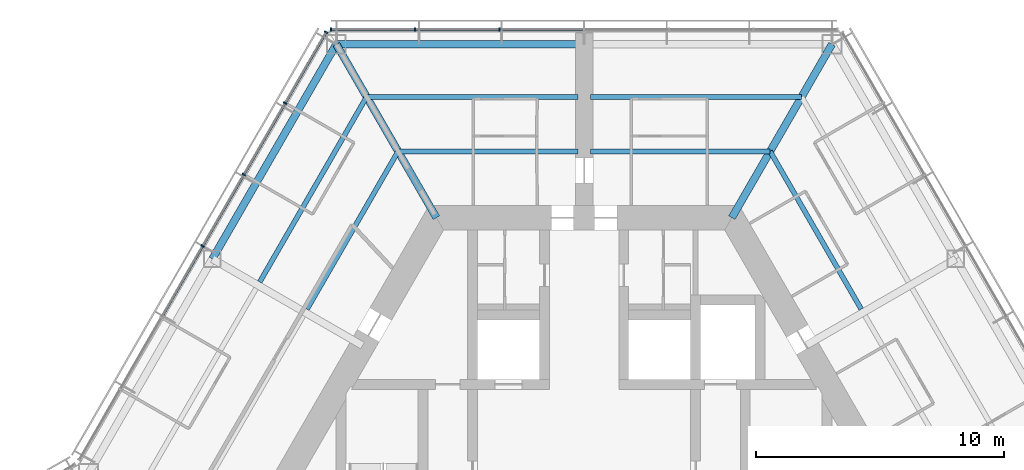
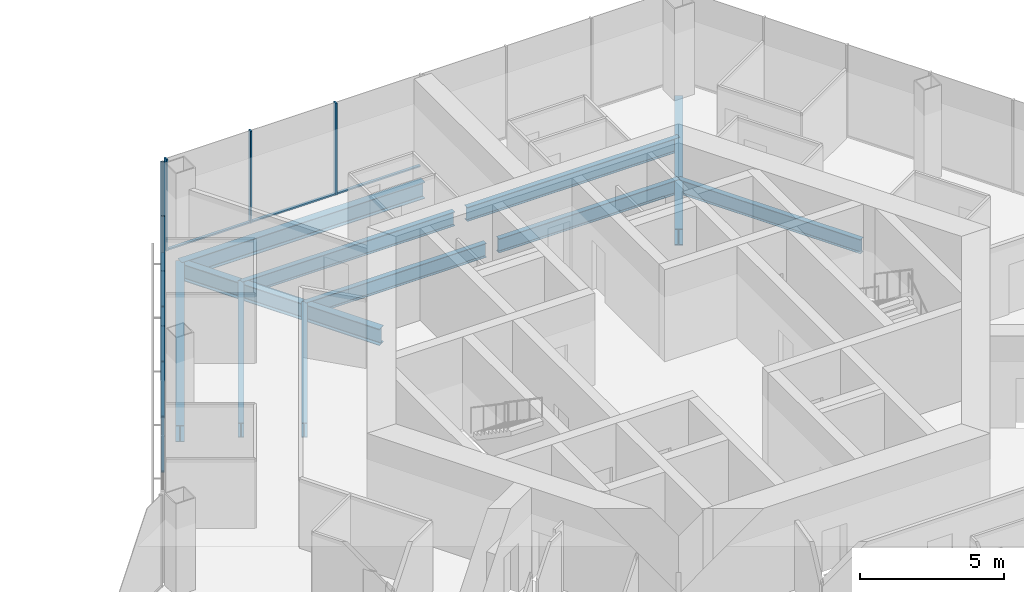
# One storey, part 7 of 19: 14 members, 11 beams, 2 elements without a shape of their own.
"""IFC4 building model written with IfcOpenShell, lengths in metres."""

from ifc_helpers import new_model, si_unit, direction, frame, origin, origin_2d, place, context, subcontext, project, spatial, rectangle, i_section, extrude, material, material_profile, profile_set, type_object, element, aggregate, save


model = new_model("IFC4")

# Units and contexts
model_context = context("Model", 3, precision=1e-05, world=origin(), true_north=direction((0.0, 1.0)))
body_context = subcontext(model_context, "Body", "Model", "MODEL_VIEW")
ifc_project = project(units=[si_unit("LENGTHUNIT", "METRE"), si_unit("AREAUNIT", "SQUARE_METRE"), si_unit("VOLUMEUNIT", "CUBIC_METRE"), si_unit("PLANEANGLEUNIT", "RADIAN"), si_unit("MASSUNIT", "GRAM", prefix="KILO")], contexts=[model_context])

# Site, building, storey
site_placement = place(None, origin())
site = spatial("IfcSite", under=ifc_project, at=site_placement, CompositionType="ELEMENT")
building_placement = place(site_placement, origin())
building = spatial("IfcBuilding", under=site, at=building_placement, Name="Kasaneha Research Tower", CompositionType="ELEMENT")
storey_placement = place(building_placement, frame((0.0, 0.0, 160.39990234375)))
storey = spatial("IfcBuildingStorey", under=building, at=storey_placement, Name="L40", CompositionType="ELEMENT", Elevation=160.39990234375)

# Beams
ifc_material_1 = material(Name="Steel SN490B", Category="steel")
ifc_material_profile_1 = material_profile(ifc_material_1, i_section(OverallWidth=0.199951171875, OverallDepth=0.60009765625, WebThickness=0.010986328125, FlangeThickness=0.01708984375, FilletRadius=0.012939453125, at=origin_2d()), Name="H-600x200x11x17")
ifc_profile_set_1 = profile_set([ifc_material_profile_1], Name="Steel SN490B")
beam_type_1 = type_object("IfcBeamType", Name="B1-3 secondary beam H-600x200x11x17", PredefinedType="JOIST", material=ifc_profile_set_1)
beam_1_placement = place(storey_placement, frame((7.505615234375, 13.0, -0.449951171875), z_axis=(0.499994443168, -0.866028611999, 0.0), x_axis=(0.866028611999, 0.499994443168, 0.0)))
element("IfcBeam", 1, at=beam_1_placement, inside=storey, type_object=beam_type_1, Name="Secondary beam RS030R1 L40", PredefinedType="JOIST", context=body_context, shape_type="SweptSolid", body=[
    extrude(i_section(OverallWidth=0.199951171875, OverallDepth=0.60009765625, WebThickness=0.010986328125, FlangeThickness=0.01708984375, FilletRadius=0.012939453125, at=origin_2d()), origin(), (0.0, 0.0, 1.0), 7.35546875),
])
beam_2_placement = place(storey_placement, frame((7.505615234375, 13.0, -0.449951171875), z_axis=(-1.0, 0.0, 0.0), x_axis=(0.0, -1.0, 0.0)))
element("IfcBeam", 2, at=beam_2_placement, inside=storey, type_object=beam_type_1, Name="Secondary beam RS090L1 L40", PredefinedType="JOIST", context=body_context, shape_type="SweptSolid", body=[
    extrude(i_section(OverallWidth=0.199951171875, OverallDepth=0.60009765625, WebThickness=0.010986328125, FlangeThickness=0.01708984375, FilletRadius=0.012939453125, at=origin_2d()), origin(), (0.0, 0.0, 1.0), 7.255615234375),
])
beam_3_placement = place(storey_placement, frame((8.775634765625, 15.199951171875, -0.449951171875), z_axis=(-1.0, 0.0, 0.0), x_axis=(0.0, -1.0, 0.0)))
element("IfcBeam", 3, at=beam_3_placement, inside=storey, type_object=beam_type_1, Name="Secondary beam RS090L2 L40", PredefinedType="JOIST", context=body_context, shape_type="SweptSolid", body=[
    extrude(i_section(OverallWidth=0.199951171875, OverallDepth=0.60009765625, WebThickness=0.010986328125, FlangeThickness=0.01708984375, FilletRadius=0.012939453125, at=origin_2d()), origin(), (0.0, 0.0, 1.0), 8.525634765625),
])
beam_4_placement = place(storey_placement, frame((-7.505615234375, 13.0, -0.449951171875), z_axis=(1.0, 0.0, 0.0), x_axis=(0.0, 1.0, 0.0)))
element("IfcBeam", 4, at=beam_4_placement, inside=storey, type_object=beam_type_1, Name="Secondary beam RS090R1 L40", PredefinedType="JOIST", context=body_context, shape_type="SweptSolid", body=[
    extrude(i_section(OverallWidth=0.199951171875, OverallDepth=0.60009765625, WebThickness=0.010986328125, FlangeThickness=0.01708984375, FilletRadius=0.012939453125, at=origin_2d()), origin(), (0.0, 0.0, 1.0), 7.255615234375),
])
beam_5_placement = place(storey_placement, frame((-8.775634765625, 15.199951171875, -0.449951171875), z_axis=(1.0, 0.0, 0.0), x_axis=(0.0, 1.0, 0.0)))
element("IfcBeam", 5, at=beam_5_placement, inside=storey, type_object=beam_type_1, Name="Secondary beam RS090R2 L40", PredefinedType="JOIST", context=body_context, shape_type="SweptSolid", body=[
    extrude(i_section(OverallWidth=0.199951171875, OverallDepth=0.60009765625, WebThickness=0.010986328125, FlangeThickness=0.01708984375, FilletRadius=0.012939453125, at=origin_2d()), origin(), (0.0, 0.0, 1.0), 8.525634765625),
])
beam_6_placement = place(storey_placement, frame((-7.505615234375, 13.0, -0.449951171875), z_axis=(-0.499994443168, -0.866028611999, 0.0), x_axis=(0.866028611999, -0.499994443168, 0.0)))
element("IfcBeam", 6, at=beam_6_placement, inside=storey, type_object=beam_type_1, Name="Secondary beam RS150L1 L40", PredefinedType="JOIST", context=body_context, shape_type="SweptSolid", body=[
    extrude(i_section(OverallWidth=0.199951171875, OverallDepth=0.60009765625, WebThickness=0.010986328125, FlangeThickness=0.01708984375, FilletRadius=0.012939453125, at=origin_2d()), origin(), (0.0, 0.0, 1.0), 7.35546875),
])
beam_7_placement = place(storey_placement, frame((-8.775634765625, 15.199951171875, -0.449951171875), z_axis=(-0.500017275495, -0.866015429543, 0.0), x_axis=(0.866015429543, -0.500017275495, 0.0)))
element("IfcBeam", 7, at=beam_7_placement, inside=storey, type_object=beam_type_1, Name="Secondary beam RS150L2 L40", PredefinedType="JOIST", context=body_context, shape_type="SweptSolid", body=[
    extrude(i_section(OverallWidth=0.199951171875, OverallDepth=0.60009765625, WebThickness=0.010986328125, FlangeThickness=0.01708984375, FilletRadius=0.012939453125, at=origin_2d()), origin(), (0.0, 0.0, 1.0), 8.625732421875),
])

# Curtain wall, members
ifc_material_2 = material(Name="Glass and aluminium", Category="aluminium")
curtain_wall_type = type_object("IfcCurtainWallType", Name="Mid-rise office curtain wall", PredefinedType="USERDEFINED", material=ifc_material_2)
curtain_wall_1_placement = place(storey_placement, origin())
curtain_wall_1 = element("IfcCurtainWall", 8, at=curtain_wall_1_placement, inside=storey, type_object=curtain_wall_type, Name="CW-O2 L40 run 07a", ObjectType="UNITISED CURTAIN WALL", PredefinedType="USERDEFINED")
ifc_material_3 = material(Name="Aluminium 6063-T6", Category="aluminium")
ifc_material_profile_2 = material_profile(ifc_material_3, rectangle(XDim=0.06005859375, YDim=0.14990234375, at=origin_2d()), Name="CW-O2 mullion 60x150")
ifc_profile_set_2 = profile_set([ifc_material_profile_2], Name="Aluminium 6063-T6")
member_type_1 = type_object("IfcMemberType", Name="CW-O2 mullion", PredefinedType="MULLION", material=ifc_profile_set_2)
member_1_placement = place(storey_placement, frame((-3.41552734375, 17.92041015625, 0.0), z_axis=(0.0, 0.0, 1.0), x_axis=(-1.0, 0.0, 0.0)))
member_1 = element("IfcMember", 9, at=member_1_placement, type_object=member_type_1, Name="CW-O2 mullion 5", PredefinedType="MULLION", context=body_context, shape_type="SweptSolid", body=[
    extrude(rectangle(XDim=0.06005859375, YDim=0.14990234375, at=origin_2d()), origin(), (0.0, 0.0, 1.0), 3.900146484375),
])
member_2_placement = place(storey_placement, frame((-6.8310546875, 17.92041015625, 0.0), z_axis=(0.0, 0.0, 1.0), x_axis=(-1.0, 0.0, 0.0)))
member_2 = element("IfcMember", 10, at=member_2_placement, type_object=member_type_1, Name="CW-O2 mullion 6", PredefinedType="MULLION", context=body_context, shape_type="SweptSolid", body=[
    extrude(rectangle(XDim=0.06005859375, YDim=0.14990234375, at=origin_2d()), origin(), (0.0, 0.0, 1.0), 3.900146484375),
])
member_3_placement = place(storey_placement, frame((-10.21630859375, 17.92041015625, 0.0), z_axis=(0.0, 0.0, 1.0), x_axis=(-1.0, 0.0, 0.0)))
member_3 = element("IfcMember", 11, at=member_3_placement, type_object=member_type_1, Name="CW-O2 mullion 7", PredefinedType="MULLION", context=body_context, shape_type="SweptSolid", body=[
    extrude(rectangle(XDim=0.06005859375, YDim=0.14990234375, at=origin_2d()), origin(), (0.0, 0.0, 1.0), 3.900146484375),
])

curtain_wall_2_placement = place(storey_placement, origin())
curtain_wall_2 = element("IfcCurtainWall", 12, at=curtain_wall_2_placement, inside=storey, type_object=curtain_wall_type, Name="CW-O2 L40 run 08a", ObjectType="UNITISED CURTAIN WALL", PredefinedType="USERDEFINED")
member_4_placement = place(storey_placement, frame((-10.411376953125, 17.807861328125, 0.0), z_axis=(0.0, 0.0, 1.0), x_axis=(-0.499999979232, -0.866025415775, 0.0)))
member_4 = element("IfcMember", 13, at=member_4_placement, type_object=member_type_1, Name="CW-O2 mullion 1", PredefinedType="MULLION", context=body_context, shape_type="SweptSolid", body=[
    extrude(rectangle(XDim=0.06005859375, YDim=0.14990234375, at=origin_2d()), origin(), (0.0, 0.0, 1.0), 3.900146484375),
])
member_5_placement = place(storey_placement, frame((-12.061767578125, 14.94921875, 0.0), z_axis=(0.0, 0.0, 1.0), x_axis=(-0.499999979232, -0.866025415775, 0.0)))
member_5 = element("IfcMember", 14, at=member_5_placement, type_object=member_type_1, Name="CW-O2 mullion 2", PredefinedType="MULLION", context=body_context, shape_type="SweptSolid", body=[
    extrude(rectangle(XDim=0.06005859375, YDim=0.14990234375, at=origin_2d()), origin(), (0.0, 0.0, 1.0), 3.900146484375),
])
member_6_placement = place(storey_placement, frame((-13.727294921875, 12.064453125, 0.0), z_axis=(0.0, 0.0, 1.0), x_axis=(-0.499999979232, -0.866025415775, 0.0)))
member_6 = element("IfcMember", 15, at=member_6_placement, type_object=member_type_1, Name="CW-O2 mullion 3", PredefinedType="MULLION", context=body_context, shape_type="SweptSolid", body=[
    extrude(rectangle(XDim=0.06005859375, YDim=0.14990234375, at=origin_2d()), origin(), (0.0, 0.0, 1.0), 3.900146484375),
])
member_7_placement = place(storey_placement, frame((-15.392822265625, 9.179931640625, 0.0), z_axis=(0.0, 0.0, 1.0), x_axis=(-0.499999979232, -0.866025415775, 0.0)))
member_7 = element("IfcMember", 16, at=member_7_placement, type_object=member_type_1, Name="CW-O2 mullion 4", PredefinedType="MULLION", context=body_context, shape_type="SweptSolid", body=[
    extrude(rectangle(XDim=0.06005859375, YDim=0.14990234375, at=origin_2d()), origin(), (0.0, 0.0, 1.0), 3.900146484375),
])

# Member
ifc_material_4 = material(Name="Aluminium 6063-T6", Category="aluminium")
ifc_material_profile_3 = material_profile(ifc_material_4, rectangle(XDim=0.110107421875, YDim=0.06005859375, at=origin_2d()), Name="CW-O2 transom 110x60")
ifc_profile_set_3 = profile_set([ifc_material_profile_3], Name="Aluminium 6063-T6")
member_type_2 = type_object("IfcMemberType", Name="CW-O2 transom", PredefinedType="USERDEFINED", material=ifc_profile_set_3)
member_8_placement = place(storey_placement, frame((-0.030029296875, 17.92041015625, 0.030029296875), z_axis=(-1.0, 0.0, 0.0), x_axis=(0.0, -1.0, 0.0)))
member_8 = element("IfcMember", 17, at=member_8_placement, type_object=member_type_2, Name="CW-O2 transom 4", ObjectType="TRANSOM", PredefinedType="USERDEFINED", context=body_context, shape_type="SweptSolid", body=[
    extrude(rectangle(XDim=0.110107421875, YDim=0.06005859375, at=origin_2d()), origin(), (0.0, 0.0, 1.0), 3.35546875),
])

member_9_placement = place(storey_placement, frame((-3.445556640625, 17.92041015625, 0.030029296875), z_axis=(-1.0, 0.0, 0.0), x_axis=(0.0, -1.0, 0.0)))
member_9 = element("IfcMember", 18, at=member_9_placement, type_object=member_type_2, Name="CW-O2 transom 5", ObjectType="TRANSOM", PredefinedType="USERDEFINED", context=body_context, shape_type="SweptSolid", body=[
    extrude(rectangle(XDim=0.110107421875, YDim=0.06005859375, at=origin_2d()), origin(), (0.0, 0.0, 1.0), 3.35546875),
])

member_10_placement = place(storey_placement, frame((-6.86083984375, 17.92041015625, 0.030029296875), z_axis=(-1.0, 0.0, 0.0), x_axis=(0.0, -1.0, 0.0)))
member_10 = element("IfcMember", 19, at=member_10_placement, type_object=member_type_2, Name="CW-O2 transom 6", ObjectType="TRANSOM", PredefinedType="USERDEFINED", context=body_context, shape_type="SweptSolid", body=[
    extrude(rectangle(XDim=0.110107421875, YDim=0.06005859375, at=origin_2d()), origin(), (0.0, 0.0, 1.0), 3.32568359375),
])

aggregate(curtain_wall_1, [member_1, member_2, member_3, member_8, member_9, member_10])

member_11_placement = place(storey_placement, frame((-10.426513671875, 17.781982421875, 0.030029296875), z_axis=(-0.499955025697, -0.866051368154, 0.0), x_axis=(0.866051368154, -0.499955025697, 0.0)))
member_11 = element("IfcMember", 20, at=member_11_placement, type_object=member_type_2, Name="CW-O2 transom 1", ObjectType="TRANSOM", PredefinedType="USERDEFINED", context=body_context, shape_type="SweptSolid", body=[
    extrude(rectangle(XDim=0.110107421875, YDim=0.06005859375, at=origin_2d()), origin(), (0.0, 0.0, 1.0), 3.240966796875),
])

member_12_placement = place(storey_placement, frame((-12.076904296875, 14.92333984375, 0.030029296875), z_axis=(-0.500000270186, -0.866025247793, 0.0), x_axis=(0.866025247793, -0.500000270186, 0.0)))
member_12 = element("IfcMember", 21, at=member_12_placement, type_object=member_type_2, Name="CW-O2 transom 2", ObjectType="TRANSOM", PredefinedType="USERDEFINED", context=body_context, shape_type="SweptSolid", body=[
    extrude(rectangle(XDim=0.110107421875, YDim=0.06005859375, at=origin_2d()), origin(), (0.0, 0.0, 1.0), 3.27099609375),
])

member_13_placement = place(storey_placement, frame((-13.742431640625, 12.03857421875, 0.030029296875), z_axis=(-0.500000270186, -0.866025247793, 0.0), x_axis=(0.866025247793, -0.500000270186, 0.0)))
member_13 = element("IfcMember", 22, at=member_13_placement, type_object=member_type_2, Name="CW-O2 transom 3", ObjectType="TRANSOM", PredefinedType="USERDEFINED", context=body_context, shape_type="SweptSolid", body=[
    extrude(rectangle(XDim=0.110107421875, YDim=0.06005859375, at=origin_2d()), origin(), (0.0, 0.0, 1.0), 3.27099609375),
])

member_14_placement = place(storey_placement, frame((-15.40771484375, 9.15380859375, 0.030029296875), z_axis=(-0.50003259116, -0.866006586452, 0.0), x_axis=(0.866006586452, -0.50003259116, 0.0)))
member_14 = element("IfcMember", 23, at=member_14_placement, type_object=member_type_2, Name="CW-O2 transom 4", ObjectType="TRANSOM", PredefinedType="USERDEFINED", context=body_context, shape_type="SweptSolid", body=[
    extrude(rectangle(XDim=0.110107421875, YDim=0.06005859375, at=origin_2d()), origin(), (0.0, 0.0, 1.0), 3.270751953125),
])

aggregate(curtain_wall_2, [member_4, member_5, member_6, member_7, member_11, member_12, member_13, member_14])

# Beams
ifc_material_5 = material(Name="Steel SN490B", Category="steel")
ifc_material_profile_4 = material_profile(ifc_material_5, i_section(OverallWidth=0.300048828125, OverallDepth=0.699951171875, WebThickness=0.012939453125, FlangeThickness=0.02392578125, FilletRadius=0.01806640625, at=origin_2d()), Name="H-700x300x13x24")
ifc_profile_set_4 = profile_set([ifc_material_profile_4], Name="Steel SN490B")
beam_type_2 = type_object("IfcBeamType", Name="G1-3 radial girder H-700x300x13x24", PredefinedType="BEAM", material=ifc_profile_set_4)
for number, where, z_axis, x_axis, name in (
    (24, (5.961181640625, 10.324951171875, -0.5), (0.49999105496, 0.866030568144, 0.0), (-0.866030568144, 0.49999105496, 0.0), "Radial girder RV060 L40"),
    (25, (-5.961181640625, 10.324951171875, -0.5), (-0.49999105496, 0.866030568144, 0.0), (-0.866030568144, -0.49999105496, 0.0), "Radial girder RV120 L40"),
):
    element("IfcBeam", number, at=place(storey_placement, frame(where, z_axis=z_axis, x_axis=x_axis)), inside=storey, type_object=beam_type_2, Name=name, PredefinedType="BEAM", context=body_context, shape_type="SweptSolid", body=[
        extrude(i_section(OverallWidth=0.300048828125, OverallDepth=0.699951171875, WebThickness=0.012939453125, FlangeThickness=0.02392578125, FilletRadius=0.01806640625, at=origin_2d()), origin(), (0.0, 0.0, 1.0), 8.077880859375),
    ])
ifc_material_6 = material(Name="Steel SN490B", Category="steel")
ifc_material_profile_5 = material_profile(ifc_material_6, i_section(OverallWidth=0.300048828125, OverallDepth=0.69189453125, WebThickness=0.012939453125, FlangeThickness=0.02001953125, FilletRadius=0.01806640625, at=origin_2d()), Name="H-692x300x13x20")
ifc_profile_set_5 = profile_set([ifc_material_profile_5], Name="Steel SN490B")
beam_type_3 = type_object("IfcBeamType", Name="G3-3 plate edge girder H-692x300x13x20", PredefinedType="BEAM", material=ifc_profile_set_5)
beam_8_placement = place(storey_placement, frame((-10.0, 17.320556640625, -0.495849609375), z_axis=(1.0, 0.0, 0.0), x_axis=(0.0, 1.0, 0.0)))
element("IfcBeam", 26, at=beam_8_placement, inside=storey, type_object=beam_type_3, Name="Plate edge girder PEAN L40", PredefinedType="BEAM", context=body_context, shape_type="SweptSolid", body=[
    extrude(i_section(OverallWidth=0.300048828125, OverallDepth=0.69189453125, WebThickness=0.012939453125, FlangeThickness=0.02001953125, FilletRadius=0.01806640625, at=origin_2d()), origin(), (0.0, 0.0, 1.0), 9.75),
])
ifc_material_7 = material(Name="Steel SN490B", Category="steel")
ifc_material_profile_6 = material_profile(ifc_material_7, i_section(OverallWidth=0.300048828125, OverallDepth=0.69189453125, WebThickness=0.012939453125, FlangeThickness=0.02001953125, FilletRadius=0.01806640625, at=origin_2d()), Name="H-692x300x13x20")
ifc_profile_set_6 = profile_set([ifc_material_profile_6], Name="Steel SN490B")
beam_type_4 = type_object("IfcBeamType", Name="SB1-3 spandrel beam H-692x300x13x20", PredefinedType="SPANDREL", material=ifc_profile_set_6)
beam_9_placement = place(storey_placement, frame((-10.0, 17.320556640625, -0.495849609375), z_axis=(-0.499993662806, -0.866029062534, 0.0), x_axis=(0.866029062534, -0.499993662806, 0.0)))
element("IfcBeam", 27, at=beam_9_placement, inside=storey, type_object=beam_type_4, Name="Spandrel beam SR150L L40", PredefinedType="SPANDREL", context=body_context, shape_type="SweptSolid", body=[
    extrude(i_section(OverallWidth=0.300048828125, OverallDepth=0.69189453125, WebThickness=0.012939453125, FlangeThickness=0.02001953125, FilletRadius=0.01806640625, at=origin_2d()), origin(), (0.0, 0.0, 1.0), 10.000244140625),
])

save(model, "model.ifc")
